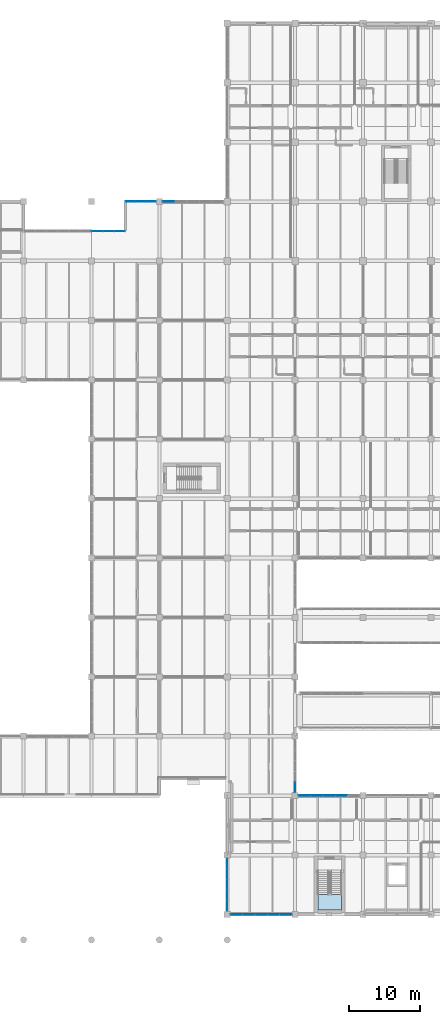
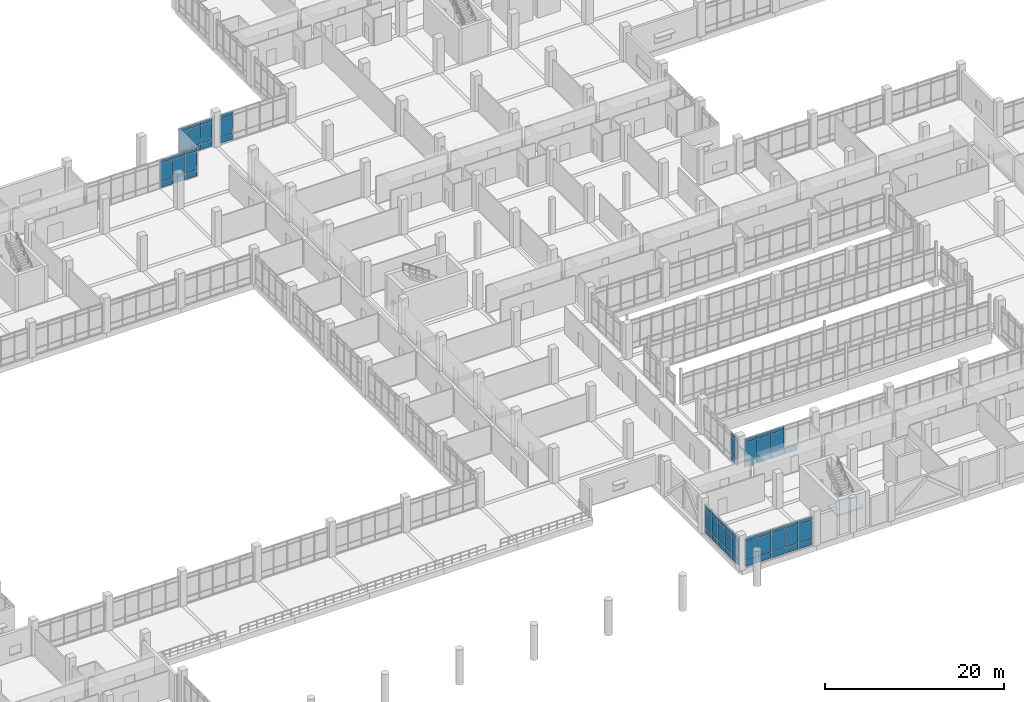
# One storey, part 95 of 152: 64 plates, 1 slab, 8 elements without a shape of their own.
"""IFC4 building model written with IfcOpenShell, lengths in metres."""

from ifc_helpers import new_model, si_unit, direction, frame, origin, origin_2d, place, context, subcontext, project, spatial, polyline, rectangle, outline, extrude, material, layer, layer_set, type_object, element, aggregate, save


model = new_model("IFC4")

# Units and contexts
model_context = context("Model", 3, precision=1e-05, world=origin(), true_north=direction((0.0, 1.0)))
body_context = subcontext(model_context, "Body", "Model", "MODEL_VIEW")
ifc_project = project(units=[si_unit("LENGTHUNIT", "METRE"), si_unit("AREAUNIT", "SQUARE_METRE"), si_unit("VOLUMEUNIT", "CUBIC_METRE"), si_unit("PLANEANGLEUNIT", "RADIAN"), si_unit("MASSUNIT", "GRAM", prefix="KILO")], contexts=[model_context])

# Site, building, storey
site_placement = place(None, origin())
site = spatial("IfcSite", under=ifc_project, at=site_placement, CompositionType="ELEMENT")
building_placement = place(site_placement, origin())
building = spatial("IfcBuilding", under=site, at=building_placement, Name="Oolite Switchyard Hospital", CompositionType="ELEMENT")
storey_placement = place(building_placement, frame((0.0, 0.0, 5.10009765625)))
storey = spatial("IfcBuildingStorey", under=building, at=storey_placement, Name="L01", CompositionType="ELEMENT", Elevation=5.10009765625)

# Curtain wall, plates
ifc_material_1 = material(Name="Thermally broken aluminum frame with laminated impact glazing", Category="aluminium")
curtain_wall_type_1 = type_object("IfcCurtainWallType", Name="CW-UNIT-84X48", PredefinedType="USERDEFINED", material=ifc_material_1)
curtain_wall_1_placement = place(storey_placement, origin())
curtain_wall_1 = element("IfcCurtainWall", 1, at=curtain_wall_1_placement, inside=storey, type_object=curtain_wall_type_1, Name="L01 Unitised Curtain Wall 187", ObjectType="UNITISED", PredefinedType="USERDEFINED")
ifc_material_2 = material(Name="Insulated fluoropolymer-coated aluminum spandrel panel", Category="aluminium")
ifc_layer_1 = layer(ifc_material_2, 0.054931640625)
ifc_layer_set_1 = layer_set([ifc_layer_1], Name="CW-PNL-SPN55")
plate_type_1 = type_object("IfcPlateType", Name="CW-PNL-SPN55", PredefinedType="CURTAIN_PANEL", material=ifc_layer_set_1)
plate_1_placement = place(storey_placement, frame((134.39990234375, 9.61083984375, 0.07470703125), z_axis=(0.0, 0.0, 1.0), x_axis=(0.0, 1.0, 0.0)))
plate_1 = element("IfcPlate", 2, at=plate_1_placement, type_object=plate_type_1, Name="CW-07 panel 1.1", PredefinedType="CURTAIN_PANEL", context=body_context, shape_type="SweptSolid", body=[
    extrude(rectangle(XDim=1.3916015625, YDim=0.054931640625, at=origin_2d()), origin(), (0.0, 0.0, 1.0), 0.737548828125),
])
plate_2_placement = place(storey_placement, frame((134.39990234375, 9.61083984375, 0.88720703125), z_axis=(0.0, 0.0, 1.0), x_axis=(0.0, 1.0, 0.0)))
plate_2 = element("IfcPlate", 3, at=plate_2_placement, type_object=plate_type_1, Name="CW-07 panel 1.2", PredefinedType="CURTAIN_PANEL", context=body_context, shape_type="SweptSolid", body=[
    extrude(rectangle(XDim=1.3916015625, YDim=0.054931640625, at=origin_2d()), origin(), (0.0, 0.0, 1.0), 2.465087890625),
])
plate_3_placement = place(storey_placement, frame((134.39990234375, 9.61083984375, 3.427490234375), z_axis=(0.0, 0.0, 1.0), x_axis=(0.0, 1.0, 0.0)))
plate_3 = element("IfcPlate", 4, at=plate_3_placement, type_object=plate_type_1, Name="CW-07 panel 1.3", PredefinedType="CURTAIN_PANEL", context=body_context, shape_type="SweptSolid", body=[
    extrude(rectangle(XDim=1.3916015625, YDim=0.054931640625, at=origin_2d()), origin(), (0.0, 0.0, 1.0), 0.4375),
])
plate_4_placement = place(storey_placement, frame((134.39990234375, 11.095947265625, 0.07470703125), z_axis=(0.0, 0.0, 1.0), x_axis=(0.0, 1.0, 0.0)))
plate_4 = element("IfcPlate", 5, at=plate_4_placement, type_object=plate_type_1, Name="CW-07 panel 2.1", PredefinedType="CURTAIN_PANEL", context=body_context, shape_type="SweptSolid", body=[
    extrude(rectangle(XDim=1.428955078125, YDim=0.054931640625, at=origin_2d()), origin(), (0.0, 0.0, 1.0), 0.737548828125),
])
plate_5_placement = place(storey_placement, frame((134.39990234375, 11.095947265625, 0.88720703125), z_axis=(0.0, 0.0, 1.0), x_axis=(0.0, 1.0, 0.0)))
plate_5 = element("IfcPlate", 6, at=plate_5_placement, type_object=plate_type_1, Name="CW-07 panel 2.2", PredefinedType="CURTAIN_PANEL", context=body_context, shape_type="SweptSolid", body=[
    extrude(rectangle(XDim=1.428955078125, YDim=0.054931640625, at=origin_2d()), origin(), (0.0, 0.0, 1.0), 2.465087890625),
])
plate_6_placement = place(storey_placement, frame((134.39990234375, 11.095947265625, 3.427490234375), z_axis=(0.0, 0.0, 1.0), x_axis=(0.0, 1.0, 0.0)))
plate_6 = element("IfcPlate", 7, at=plate_6_placement, type_object=plate_type_1, Name="CW-07 panel 2.3", PredefinedType="CURTAIN_PANEL", context=body_context, shape_type="SweptSolid", body=[
    extrude(rectangle(XDim=1.428955078125, YDim=0.054931640625, at=origin_2d()), origin(), (0.0, 0.0, 1.0), 0.4375),
])
plate_7_placement = place(storey_placement, frame((134.39990234375, 12.60009765625, 0.07470703125), z_axis=(0.0, 0.0, 1.0), x_axis=(0.0, 1.0, 0.0)))
plate_7 = element("IfcPlate", 8, at=plate_7_placement, type_object=plate_type_1, Name="CW-07 panel 3.1", PredefinedType="CURTAIN_PANEL", context=body_context, shape_type="SweptSolid", body=[
    extrude(rectangle(XDim=1.428955078125, YDim=0.054931640625, at=origin_2d()), origin(), (0.0, 0.0, 1.0), 0.737548828125),
])
plate_8_placement = place(storey_placement, frame((134.39990234375, 12.60009765625, 0.88720703125), z_axis=(0.0, 0.0, 1.0), x_axis=(0.0, 1.0, 0.0)))
plate_8 = element("IfcPlate", 9, at=plate_8_placement, type_object=plate_type_1, Name="CW-07 panel 3.2", PredefinedType="CURTAIN_PANEL", context=body_context, shape_type="SweptSolid", body=[
    extrude(rectangle(XDim=1.428955078125, YDim=0.054931640625, at=origin_2d()), origin(), (0.0, 0.0, 1.0), 2.465087890625),
])
plate_9_placement = place(storey_placement, frame((134.39990234375, 12.60009765625, 3.427490234375), z_axis=(0.0, 0.0, 1.0), x_axis=(0.0, 1.0, 0.0)))
plate_9 = element("IfcPlate", 10, at=plate_9_placement, type_object=plate_type_1, Name="CW-07 panel 3.3", PredefinedType="CURTAIN_PANEL", context=body_context, shape_type="SweptSolid", body=[
    extrude(rectangle(XDim=1.428955078125, YDim=0.054931640625, at=origin_2d()), origin(), (0.0, 0.0, 1.0), 0.4375),
])
plate_10_placement = place(storey_placement, frame((134.39990234375, 14.10400390625, 0.07470703125), z_axis=(0.0, 0.0, 1.0), x_axis=(0.0, 1.0, 0.0)))
plate_10 = element("IfcPlate", 11, at=plate_10_placement, type_object=plate_type_1, Name="CW-07 panel 4.1", PredefinedType="CURTAIN_PANEL", context=body_context, shape_type="SweptSolid", body=[
    extrude(rectangle(XDim=1.428955078125, YDim=0.054931640625, at=origin_2d()), origin(), (0.0, 0.0, 1.0), 0.737548828125),
])
plate_11_placement = place(storey_placement, frame((134.39990234375, 14.10400390625, 0.88720703125), z_axis=(0.0, 0.0, 1.0), x_axis=(0.0, 1.0, 0.0)))
plate_11 = element("IfcPlate", 12, at=plate_11_placement, type_object=plate_type_1, Name="CW-07 panel 4.2", PredefinedType="CURTAIN_PANEL", context=body_context, shape_type="SweptSolid", body=[
    extrude(rectangle(XDim=1.428955078125, YDim=0.054931640625, at=origin_2d()), origin(), (0.0, 0.0, 1.0), 2.465087890625),
])
plate_12_placement = place(storey_placement, frame((134.39990234375, 14.10400390625, 3.427490234375), z_axis=(0.0, 0.0, 1.0), x_axis=(0.0, 1.0, 0.0)))
plate_12 = element("IfcPlate", 13, at=plate_12_placement, type_object=plate_type_1, Name="CW-07 panel 4.3", PredefinedType="CURTAIN_PANEL", context=body_context, shape_type="SweptSolid", body=[
    extrude(rectangle(XDim=1.428955078125, YDim=0.054931640625, at=origin_2d()), origin(), (0.0, 0.0, 1.0), 0.4375),
])
plate_13_placement = place(storey_placement, frame((134.39990234375, 15.58935546875, 0.07470703125), z_axis=(0.0, 0.0, 1.0), x_axis=(0.0, 1.0, 0.0)))
plate_13 = element("IfcPlate", 14, at=plate_13_placement, type_object=plate_type_1, Name="CW-07 panel 5.1", PredefinedType="CURTAIN_PANEL", context=body_context, shape_type="SweptSolid", body=[
    extrude(rectangle(XDim=1.3916015625, YDim=0.054931640625, at=origin_2d()), origin(), (0.0, 0.0, 1.0), 0.737548828125),
])
plate_14_placement = place(storey_placement, frame((134.39990234375, 15.58935546875, 0.88720703125), z_axis=(0.0, 0.0, 1.0), x_axis=(0.0, 1.0, 0.0)))
plate_14 = element("IfcPlate", 15, at=plate_14_placement, type_object=plate_type_1, Name="CW-07 panel 5.2", PredefinedType="CURTAIN_PANEL", context=body_context, shape_type="SweptSolid", body=[
    extrude(rectangle(XDim=1.3916015625, YDim=0.054931640625, at=origin_2d()), origin(), (0.0, 0.0, 1.0), 2.465087890625),
])
plate_15_placement = place(storey_placement, frame((134.39990234375, 15.58935546875, 3.427490234375), z_axis=(0.0, 0.0, 1.0), x_axis=(0.0, 1.0, 0.0)))
plate_15 = element("IfcPlate", 16, at=plate_15_placement, type_object=plate_type_1, Name="CW-07 panel 5.3", PredefinedType="CURTAIN_PANEL", context=body_context, shape_type="SweptSolid", body=[
    extrude(rectangle(XDim=1.3916015625, YDim=0.054931640625, at=origin_2d()), origin(), (0.0, 0.0, 1.0), 0.4375),
])
aggregate(curtain_wall_1, [plate_1, plate_2, plate_3, plate_4, plate_5, plate_6, plate_7, plate_8, plate_9, plate_10, plate_11, plate_12, plate_13, plate_14, plate_15])

curtain_wall_2_placement = place(storey_placement, origin())
curtain_wall_2 = element("IfcCurtainWall", 17, at=curtain_wall_2_placement, inside=storey, type_object=curtain_wall_type_1, Name="L01 Unitised Curtain Wall 191", ObjectType="UNITISED", PredefinedType="USERDEFINED")
ifc_layer_2 = layer(ifc_material_2, 0.070068359375)
ifc_layer_set_2 = layer_set([ifc_layer_2], Name="CW-PNL-SPN70")
plate_type_2 = type_object("IfcPlateType", Name="CW-PNL-SPN70", PredefinedType="CURTAIN_PANEL", material=ifc_layer_set_2)
plate_16_placement = place(storey_placement, frame((144.0, 26.406982421875, 0.07470703125), z_axis=(0.0, 0.0, 1.0), x_axis=(0.0, -1.0, 0.0)))
plate_16 = element("IfcPlate", 18, at=plate_16_placement, type_object=plate_type_2, Name="CW-07 panel 5.1", PredefinedType="CURTAIN_PANEL", context=body_context, shape_type="SweptSolid", body=[
    extrude(rectangle(XDim=1.4140625, YDim=0.070068359375, at=origin_2d()), origin(), (0.0, 0.0, 1.0), 0.737548828125),
])
plate_17_placement = place(storey_placement, frame((144.0, 26.406982421875, 0.88720703125), z_axis=(0.0, 0.0, 1.0), x_axis=(0.0, -1.0, 0.0)))
plate_17 = element("IfcPlate", 19, at=plate_17_placement, type_object=plate_type_2, Name="CW-07 panel 5.2", PredefinedType="CURTAIN_PANEL", context=body_context, shape_type="SweptSolid", body=[
    extrude(rectangle(XDim=1.4140625, YDim=0.070068359375, at=origin_2d()), origin(), (0.0, 0.0, 1.0), 2.465087890625),
])
plate_18_placement = place(storey_placement, frame((144.0, 26.406982421875, 3.427490234375), z_axis=(0.0, 0.0, 1.0), x_axis=(0.0, -1.0, 0.0)))
plate_18 = element("IfcPlate", 20, at=plate_18_placement, type_object=plate_type_2, Name="CW-07 panel 5.3", PredefinedType="CURTAIN_PANEL", context=body_context, shape_type="SweptSolid", body=[
    extrude(rectangle(XDim=1.4140625, YDim=0.070068359375, at=origin_2d()), origin(), (0.0, 0.0, 1.0), 0.4375),
])
aggregate(curtain_wall_2, [plate_16, plate_17, plate_18])

curtain_wall_3_placement = place(storey_placement, origin())
curtain_wall_3 = element("IfcCurtainWall", 21, at=curtain_wall_3_placement, inside=storey, type_object=curtain_wall_type_1, Name="L01 Unitised Curtain Wall 147", ObjectType="UNITISED", PredefinedType="USERDEFINED")
ifc_material_3 = material(Name="Laminated hurricane-impact insulated glazing unit", Category="glass")
ifc_layer_3 = layer(ifc_material_3, 0.028076171875)
ifc_layer_set_3 = layer_set([ifc_layer_3], Name="CW-PNL-VIS28")
plate_type_3 = type_object("IfcPlateType", Name="CW-PNL-VIS28", PredefinedType="CURTAIN_PANEL", material=ifc_layer_set_3)
plate_19_placement = place(storey_placement, frame((116.017578125, 105.0, 0.07470703125), z_axis=(0.0, 0.0, 1.0), x_axis=(1.0, 0.0, 0.0)))
plate_19 = element("IfcPlate", 22, at=plate_19_placement, type_object=plate_type_3, Name="CW-07 panel 1.1", PredefinedType="CURTAIN_PANEL", context=body_context, shape_type="SweptSolid", body=[
    extrude(rectangle(XDim=1.4951171875, YDim=0.028076171875, at=origin_2d()), origin(), (0.0, 0.0, 1.0), 0.737548828125),
])
plate_20_placement = place(storey_placement, frame((116.017578125, 105.0, 0.88720703125), z_axis=(0.0, 0.0, 1.0), x_axis=(1.0, 0.0, 0.0)))
plate_20 = element("IfcPlate", 23, at=plate_20_placement, type_object=plate_type_3, Name="CW-07 panel 1.2", PredefinedType="CURTAIN_PANEL", context=body_context, shape_type="SweptSolid", body=[
    extrude(rectangle(XDim=1.4951171875, YDim=0.028076171875, at=origin_2d()), origin(), (0.0, 0.0, 1.0), 2.465087890625),
])
plate_21_placement = place(storey_placement, frame((116.017578125, 105.0, 3.427490234375), z_axis=(0.0, 0.0, 1.0), x_axis=(1.0, 0.0, 0.0)))
plate_21 = element("IfcPlate", 24, at=plate_21_placement, type_object=plate_type_3, Name="CW-07 panel 1.3", PredefinedType="CURTAIN_PANEL", context=body_context, shape_type="SweptSolid", body=[
    extrude(rectangle(XDim=1.4951171875, YDim=0.028076171875, at=origin_2d()), origin(), (0.0, 0.0, 1.0), 0.4375),
])
plate_22_placement = place(storey_placement, frame((117.60009765625, 105.0, 0.07470703125), z_axis=(0.0, 0.0, 1.0), x_axis=(1.0, 0.0, 0.0)))
plate_22 = element("IfcPlate", 25, at=plate_22_placement, type_object=plate_type_3, Name="CW-07 panel 2.1", PredefinedType="CURTAIN_PANEL", context=body_context, shape_type="SweptSolid", body=[
    extrude(rectangle(XDim=1.530029296875, YDim=0.028076171875, at=origin_2d()), origin(), (0.0, 0.0, 1.0), 0.737548828125),
])
plate_23_placement = place(storey_placement, frame((117.60009765625, 105.0, 0.88720703125), z_axis=(0.0, 0.0, 1.0), x_axis=(1.0, 0.0, 0.0)))
plate_23 = element("IfcPlate", 26, at=plate_23_placement, type_object=plate_type_3, Name="CW-07 panel 2.2", PredefinedType="CURTAIN_PANEL", context=body_context, shape_type="SweptSolid", body=[
    extrude(rectangle(XDim=1.530029296875, YDim=0.028076171875, at=origin_2d()), origin(), (0.0, 0.0, 1.0), 2.465087890625),
])
plate_24_placement = place(storey_placement, frame((117.60009765625, 105.0, 3.427490234375), z_axis=(0.0, 0.0, 1.0), x_axis=(1.0, 0.0, 0.0)))
plate_24 = element("IfcPlate", 27, at=plate_24_placement, type_object=plate_type_3, Name="CW-07 panel 2.3", PredefinedType="CURTAIN_PANEL", context=body_context, shape_type="SweptSolid", body=[
    extrude(rectangle(XDim=1.530029296875, YDim=0.028076171875, at=origin_2d()), origin(), (0.0, 0.0, 1.0), 0.4375),
])
plate_25_placement = place(storey_placement, frame((119.1826171875, 105.0, 0.07470703125), z_axis=(0.0, 0.0, 1.0), x_axis=(1.0, 0.0, 0.0)))
plate_25 = element("IfcPlate", 28, at=plate_25_placement, type_object=plate_type_3, Name="CW-07 panel 3.1", PredefinedType="CURTAIN_PANEL", context=body_context, shape_type="SweptSolid", body=[
    extrude(rectangle(XDim=1.4951171875, YDim=0.028076171875, at=origin_2d()), origin(), (0.0, 0.0, 1.0), 0.737548828125),
])
plate_26_placement = place(storey_placement, frame((119.1826171875, 105.0, 0.88720703125), z_axis=(0.0, 0.0, 1.0), x_axis=(1.0, 0.0, 0.0)))
plate_26 = element("IfcPlate", 29, at=plate_26_placement, type_object=plate_type_3, Name="CW-07 panel 3.2", PredefinedType="CURTAIN_PANEL", context=body_context, shape_type="SweptSolid", body=[
    extrude(rectangle(XDim=1.4951171875, YDim=0.028076171875, at=origin_2d()), origin(), (0.0, 0.0, 1.0), 2.465087890625),
])
plate_27_placement = place(storey_placement, frame((119.1826171875, 105.0, 3.427490234375), z_axis=(0.0, 0.0, 1.0), x_axis=(1.0, 0.0, 0.0)))
plate_27 = element("IfcPlate", 30, at=plate_27_placement, type_object=plate_type_3, Name="CW-07 panel 3.3", PredefinedType="CURTAIN_PANEL", context=body_context, shape_type="SweptSolid", body=[
    extrude(rectangle(XDim=1.4951171875, YDim=0.028076171875, at=origin_2d()), origin(), (0.0, 0.0, 1.0), 0.4375),
])
aggregate(curtain_wall_3, [plate_19, plate_20, plate_21, plate_22, plate_23, plate_24, plate_25, plate_26, plate_27])

curtain_wall_4_placement = place(storey_placement, origin())
curtain_wall_4 = element("IfcCurtainWall", 31, at=curtain_wall_4_placement, inside=storey, type_object=curtain_wall_type_1, Name="L01 Unitised Curtain Wall 149", ObjectType="UNITISED", PredefinedType="USERDEFINED")
plate_28_placement = place(storey_placement, frame((120.74169921875, 109.199951171875, 0.07470703125), z_axis=(0.0, 0.0, 1.0), x_axis=(1.0, 0.0, 0.0)))
plate_28 = element("IfcPlate", 32, at=plate_28_placement, type_object=plate_type_3, Name="CW-07 panel 1.1", PredefinedType="CURTAIN_PANEL", context=body_context, shape_type="SweptSolid", body=[
    extrude(rectangle(XDim=1.36328125, YDim=0.028076171875, at=origin_2d()), origin(), (0.0, 0.0, 1.0), 0.737548828125),
])
plate_29_placement = place(storey_placement, frame((120.74169921875, 109.199951171875, 0.88720703125), z_axis=(0.0, 0.0, 1.0), x_axis=(1.0, 0.0, 0.0)))
plate_29 = element("IfcPlate", 33, at=plate_29_placement, type_object=plate_type_3, Name="CW-07 panel 1.2", PredefinedType="CURTAIN_PANEL", context=body_context, shape_type="SweptSolid", body=[
    extrude(rectangle(XDim=1.36328125, YDim=0.028076171875, at=origin_2d()), origin(), (0.0, 0.0, 1.0), 2.465087890625),
])
plate_30_placement = place(storey_placement, frame((120.74169921875, 109.199951171875, 3.427490234375), z_axis=(0.0, 0.0, 1.0), x_axis=(1.0, 0.0, 0.0)))
plate_30 = element("IfcPlate", 34, at=plate_30_placement, type_object=plate_type_3, Name="CW-07 panel 1.3", PredefinedType="CURTAIN_PANEL", context=body_context, shape_type="SweptSolid", body=[
    extrude(rectangle(XDim=1.36328125, YDim=0.028076171875, at=origin_2d()), origin(), (0.0, 0.0, 1.0), 0.4375),
])
plate_31_placement = place(storey_placement, frame((122.179931640625, 109.199951171875, 0.07470703125), z_axis=(0.0, 0.0, 1.0), x_axis=(1.0, 0.0, 0.0)))
plate_31 = element("IfcPlate", 35, at=plate_31_placement, type_object=plate_type_3, Name="CW-07 panel 2.1", PredefinedType="CURTAIN_PANEL", context=body_context, shape_type="SweptSolid", body=[
    extrude(rectangle(XDim=1.393310546875, YDim=0.028076171875, at=origin_2d()), origin(), (0.0, 0.0, 1.0), 0.737548828125),
])
plate_32_placement = place(storey_placement, frame((122.179931640625, 109.199951171875, 0.88720703125), z_axis=(0.0, 0.0, 1.0), x_axis=(1.0, 0.0, 0.0)))
plate_32 = element("IfcPlate", 36, at=plate_32_placement, type_object=plate_type_3, Name="CW-07 panel 2.2", PredefinedType="CURTAIN_PANEL", context=body_context, shape_type="SweptSolid", body=[
    extrude(rectangle(XDim=1.393310546875, YDim=0.028076171875, at=origin_2d()), origin(), (0.0, 0.0, 1.0), 2.465087890625),
])
plate_33_placement = place(storey_placement, frame((122.179931640625, 109.199951171875, 3.427490234375), z_axis=(0.0, 0.0, 1.0), x_axis=(1.0, 0.0, 0.0)))
plate_33 = element("IfcPlate", 37, at=plate_33_placement, type_object=plate_type_3, Name="CW-07 panel 2.3", PredefinedType="CURTAIN_PANEL", context=body_context, shape_type="SweptSolid", body=[
    extrude(rectangle(XDim=1.393310546875, YDim=0.028076171875, at=origin_2d()), origin(), (0.0, 0.0, 1.0), 0.4375),
])
plate_34_placement = place(storey_placement, frame((123.618408203125, 109.199951171875, 0.07470703125), z_axis=(0.0, 0.0, 1.0), x_axis=(1.0, 0.0, 0.0)))
plate_34 = element("IfcPlate", 38, at=plate_34_placement, type_object=plate_type_3, Name="CW-07 panel 3.1", PredefinedType="CURTAIN_PANEL", context=body_context, shape_type="SweptSolid", body=[
    extrude(rectangle(XDim=1.36328125, YDim=0.028076171875, at=origin_2d()), origin(), (0.0, 0.0, 1.0), 0.737548828125),
])
plate_35_placement = place(storey_placement, frame((123.618408203125, 109.199951171875, 0.88720703125), z_axis=(0.0, 0.0, 1.0), x_axis=(1.0, 0.0, 0.0)))
plate_35 = element("IfcPlate", 39, at=plate_35_placement, type_object=plate_type_3, Name="CW-07 panel 3.2", PredefinedType="CURTAIN_PANEL", context=body_context, shape_type="SweptSolid", body=[
    extrude(rectangle(XDim=1.36328125, YDim=0.028076171875, at=origin_2d()), origin(), (0.0, 0.0, 1.0), 2.465087890625),
])
plate_36_placement = place(storey_placement, frame((123.618408203125, 109.199951171875, 3.427490234375), z_axis=(0.0, 0.0, 1.0), x_axis=(1.0, 0.0, 0.0)))
plate_36 = element("IfcPlate", 40, at=plate_36_placement, type_object=plate_type_3, Name="CW-07 panel 3.3", PredefinedType="CURTAIN_PANEL", context=body_context, shape_type="SweptSolid", body=[
    extrude(rectangle(XDim=1.36328125, YDim=0.028076171875, at=origin_2d()), origin(), (0.0, 0.0, 1.0), 0.4375),
])
aggregate(curtain_wall_4, [plate_28, plate_29, plate_30, plate_31, plate_32, plate_33, plate_34, plate_35, plate_36])

curtain_wall_type_2 = type_object("IfcCurtainWallType", Name="CW-UNIT-96X48", PredefinedType="USERDEFINED", material=ifc_material_1)
curtain_wall_5_placement = place(storey_placement, origin())
curtain_wall_5 = element("IfcCurtainWall", 41, at=curtain_wall_5_placement, inside=storey, type_object=curtain_wall_type_2, Name="L01 Unitised Curtain Wall 98", ObjectType="UNITISED", PredefinedType="USERDEFINED")
ifc_layer_4 = layer(ifc_material_3, 0.031982421875)
ifc_layer_set_4 = layer_set([ifc_layer_4], Name="CW-PNL-VIS32")
plate_type_4 = type_object("IfcPlateType", Name="CW-PNL-VIS32", PredefinedType="CURTAIN_PANEL", material=ifc_layer_set_4)
plate_37_placement = place(storey_placement, frame((142.673095703125, 8.39990234375, 0.06005859375), z_axis=(0.0, 0.0, 1.0), x_axis=(-1.0, 0.0, 0.0)))
plate_37 = element("IfcPlate", 42, at=plate_37_placement, type_object=plate_type_4, Name="CW-02 panel 1.1", PredefinedType="CURTAIN_PANEL", context=body_context, shape_type="SweptSolid", body=[
    extrude(rectangle(XDim=1.654052734375, YDim=0.031982421875, at=origin_2d()), origin(), (0.0, 0.0, 1.0), 0.760009765625),
])
plate_38_placement = place(storey_placement, frame((142.673095703125, 8.39990234375, 0.8798828125), z_axis=(0.0, 0.0, 1.0), x_axis=(-1.0, 0.0, 0.0)))
plate_38 = element("IfcPlate", 43, at=plate_38_placement, type_object=plate_type_4, Name="CW-02 panel 1.2", PredefinedType="CURTAIN_PANEL", context=body_context, shape_type="SweptSolid", body=[
    extrude(rectangle(XDim=1.654052734375, YDim=0.031982421875, at=origin_2d()), origin(), (0.0, 0.0, 1.0), 2.47998046875),
])
plate_39_placement = place(storey_placement, frame((142.673095703125, 8.39990234375, 3.419921875), z_axis=(0.0, 0.0, 1.0), x_axis=(-1.0, 0.0, 0.0)))
plate_39 = element("IfcPlate", 44, at=plate_39_placement, type_object=plate_type_4, Name="CW-02 panel 1.3", PredefinedType="CURTAIN_PANEL", context=body_context, shape_type="SweptSolid", body=[
    extrude(rectangle(XDim=1.654052734375, YDim=0.031982421875, at=origin_2d()), origin(), (0.0, 0.0, 1.0), 0.4599609375),
])
plate_40_placement = place(storey_placement, frame((140.944091796875, 8.39990234375, 0.06005859375), z_axis=(0.0, 0.0, 1.0), x_axis=(-1.0, 0.0, 0.0)))
plate_40 = element("IfcPlate", 45, at=plate_40_placement, type_object=plate_type_4, Name="CW-02 panel 2.1", PredefinedType="CURTAIN_PANEL", context=body_context, shape_type="SweptSolid", body=[
    extrude(rectangle(XDim=1.68408203125, YDim=0.031982421875, at=origin_2d()), origin(), (0.0, 0.0, 1.0), 0.760009765625),
])
plate_41_placement = place(storey_placement, frame((140.944091796875, 8.39990234375, 0.8798828125), z_axis=(0.0, 0.0, 1.0), x_axis=(-1.0, 0.0, 0.0)))
plate_41 = element("IfcPlate", 46, at=plate_41_placement, type_object=plate_type_4, Name="CW-02 panel 2.2", PredefinedType="CURTAIN_PANEL", context=body_context, shape_type="SweptSolid", body=[
    extrude(rectangle(XDim=1.68408203125, YDim=0.031982421875, at=origin_2d()), origin(), (0.0, 0.0, 1.0), 2.47998046875),
])
plate_42_placement = place(storey_placement, frame((140.944091796875, 8.39990234375, 3.419921875), z_axis=(0.0, 0.0, 1.0), x_axis=(-1.0, 0.0, 0.0)))
plate_42 = element("IfcPlate", 47, at=plate_42_placement, type_object=plate_type_4, Name="CW-02 panel 2.3", PredefinedType="CURTAIN_PANEL", context=body_context, shape_type="SweptSolid", body=[
    extrude(rectangle(XDim=1.68408203125, YDim=0.031982421875, at=origin_2d()), origin(), (0.0, 0.0, 1.0), 0.4599609375),
])
plate_43_placement = place(storey_placement, frame((139.199951171875, 8.39990234375, 0.06005859375), z_axis=(0.0, 0.0, 1.0), x_axis=(-1.0, 0.0, 0.0)))
plate_43 = element("IfcPlate", 48, at=plate_43_placement, type_object=plate_type_4, Name="CW-02 panel 3.1", PredefinedType="CURTAIN_PANEL", context=body_context, shape_type="SweptSolid", body=[
    extrude(rectangle(XDim=1.68408203125, YDim=0.031982421875, at=origin_2d()), origin(), (0.0, 0.0, 1.0), 0.760009765625),
])
plate_44_placement = place(storey_placement, frame((139.199951171875, 8.39990234375, 0.8798828125), z_axis=(0.0, 0.0, 1.0), x_axis=(-1.0, 0.0, 0.0)))
plate_44 = element("IfcPlate", 49, at=plate_44_placement, type_object=plate_type_4, Name="CW-02 panel 3.2", PredefinedType="CURTAIN_PANEL", context=body_context, shape_type="SweptSolid", body=[
    extrude(rectangle(XDim=1.68408203125, YDim=0.031982421875, at=origin_2d()), origin(), (0.0, 0.0, 1.0), 2.47998046875),
])
plate_45_placement = place(storey_placement, frame((139.199951171875, 8.39990234375, 3.419921875), z_axis=(0.0, 0.0, 1.0), x_axis=(-1.0, 0.0, 0.0)))
plate_45 = element("IfcPlate", 50, at=plate_45_placement, type_object=plate_type_4, Name="CW-02 panel 3.3", PredefinedType="CURTAIN_PANEL", context=body_context, shape_type="SweptSolid", body=[
    extrude(rectangle(XDim=1.68408203125, YDim=0.031982421875, at=origin_2d()), origin(), (0.0, 0.0, 1.0), 0.4599609375),
])
plate_46_placement = place(storey_placement, frame((137.4560546875, 8.39990234375, 0.06005859375), z_axis=(0.0, 0.0, 1.0), x_axis=(-1.0, 0.0, 0.0)))
plate_46 = element("IfcPlate", 51, at=plate_46_placement, type_object=plate_type_4, Name="CW-02 panel 4.1", PredefinedType="CURTAIN_PANEL", context=body_context, shape_type="SweptSolid", body=[
    extrude(rectangle(XDim=1.68408203125, YDim=0.031982421875, at=origin_2d()), origin(), (0.0, 0.0, 1.0), 0.760009765625),
])
plate_47_placement = place(storey_placement, frame((137.4560546875, 8.39990234375, 0.8798828125), z_axis=(0.0, 0.0, 1.0), x_axis=(-1.0, 0.0, 0.0)))
plate_47 = element("IfcPlate", 52, at=plate_47_placement, type_object=plate_type_4, Name="CW-02 panel 4.2", PredefinedType="CURTAIN_PANEL", context=body_context, shape_type="SweptSolid", body=[
    extrude(rectangle(XDim=1.68408203125, YDim=0.031982421875, at=origin_2d()), origin(), (0.0, 0.0, 1.0), 2.47998046875),
])
plate_48_placement = place(storey_placement, frame((137.4560546875, 8.39990234375, 3.419921875), z_axis=(0.0, 0.0, 1.0), x_axis=(-1.0, 0.0, 0.0)))
plate_48 = element("IfcPlate", 53, at=plate_48_placement, type_object=plate_type_4, Name="CW-02 panel 4.3", PredefinedType="CURTAIN_PANEL", context=body_context, shape_type="SweptSolid", body=[
    extrude(rectangle(XDim=1.68408203125, YDim=0.031982421875, at=origin_2d()), origin(), (0.0, 0.0, 1.0), 0.4599609375),
])
plate_49_placement = place(storey_placement, frame((135.72705078125, 8.39990234375, 0.06005859375), z_axis=(0.0, 0.0, 1.0), x_axis=(-1.0, 0.0, 0.0)))
plate_49 = element("IfcPlate", 54, at=plate_49_placement, type_object=plate_type_4, Name="CW-02 panel 5.1", PredefinedType="CURTAIN_PANEL", context=body_context, shape_type="SweptSolid", body=[
    extrude(rectangle(XDim=1.654052734375, YDim=0.031982421875, at=origin_2d()), origin(), (0.0, 0.0, 1.0), 0.760009765625),
])
plate_50_placement = place(storey_placement, frame((135.72705078125, 8.39990234375, 0.8798828125), z_axis=(0.0, 0.0, 1.0), x_axis=(-1.0, 0.0, 0.0)))
plate_50 = element("IfcPlate", 55, at=plate_50_placement, type_object=plate_type_4, Name="CW-02 panel 5.2", PredefinedType="CURTAIN_PANEL", context=body_context, shape_type="SweptSolid", body=[
    extrude(rectangle(XDim=1.654052734375, YDim=0.031982421875, at=origin_2d()), origin(), (0.0, 0.0, 1.0), 2.47998046875),
])
plate_51_placement = place(storey_placement, frame((135.72705078125, 8.39990234375, 3.419921875), z_axis=(0.0, 0.0, 1.0), x_axis=(-1.0, 0.0, 0.0)))
plate_51 = element("IfcPlate", 56, at=plate_51_placement, type_object=plate_type_4, Name="CW-02 panel 5.3", PredefinedType="CURTAIN_PANEL", context=body_context, shape_type="SweptSolid", body=[
    extrude(rectangle(XDim=1.654052734375, YDim=0.031982421875, at=origin_2d()), origin(), (0.0, 0.0, 1.0), 0.4599609375),
])
aggregate(curtain_wall_5, [plate_37, plate_38, plate_39, plate_40, plate_41, plate_42, plate_43, plate_44, plate_45, plate_46, plate_47, plate_48, plate_49, plate_50, plate_51])

curtain_wall_6_placement = place(storey_placement, origin())
curtain_wall_6 = element("IfcCurtainWall", 57, at=curtain_wall_6_placement, inside=storey, type_object=curtain_wall_type_2, Name="L01 Unitised Curtain Wall 150", ObjectType="UNITISED", PredefinedType="USERDEFINED")
ifc_layer_5 = layer(ifc_material_3, 0.035888671875)
ifc_layer_set_5 = layer_set([ifc_layer_5], Name="CW-PNL-VIS36")
plate_type_5 = type_object("IfcPlateType", Name="CW-PNL-VIS36", PredefinedType="CURTAIN_PANEL", material=ifc_layer_set_5)
plate_52_placement = place(storey_placement, frame((126.12451171875, 109.199951171875, 0.06005859375), z_axis=(0.0, 0.0, 1.0), x_axis=(1.0, 0.0, 0.0)))
plate_52 = element("IfcPlate", 58, at=plate_52_placement, type_object=plate_type_5, Name="CW-02 panel 1.1", PredefinedType="CURTAIN_PANEL", context=body_context, shape_type="SweptSolid", body=[
    extrude(rectangle(XDim=1.62890625, YDim=0.035888671875, at=origin_2d()), origin(), (0.0, 0.0, 1.0), 0.760009765625),
])
plate_53_placement = place(storey_placement, frame((126.12451171875, 109.199951171875, 0.8798828125), z_axis=(0.0, 0.0, 1.0), x_axis=(1.0, 0.0, 0.0)))
plate_53 = element("IfcPlate", 59, at=plate_53_placement, type_object=plate_type_5, Name="CW-02 panel 1.2", PredefinedType="CURTAIN_PANEL", context=body_context, shape_type="SweptSolid", body=[
    extrude(rectangle(XDim=1.62890625, YDim=0.035888671875, at=origin_2d()), origin(), (0.0, 0.0, 1.0), 2.47998046875),
])
plate_54_placement = place(storey_placement, frame((126.12451171875, 109.199951171875, 3.419921875), z_axis=(0.0, 0.0, 1.0), x_axis=(1.0, 0.0, 0.0)))
plate_54 = element("IfcPlate", 60, at=plate_54_placement, type_object=plate_type_5, Name="CW-02 panel 1.3", PredefinedType="CURTAIN_PANEL", context=body_context, shape_type="SweptSolid", body=[
    extrude(rectangle(XDim=1.62890625, YDim=0.035888671875, at=origin_2d()), origin(), (0.0, 0.0, 1.0), 0.4599609375),
])
aggregate(curtain_wall_6, [plate_52, plate_53, plate_54])

curtain_wall_7_placement = place(storey_placement, origin())
curtain_wall_7 = element("IfcCurtainWall", 61, at=curtain_wall_7_placement, inside=storey, type_object=curtain_wall_type_2, Name="L01 Unitised Curtain Wall 104", ObjectType="UNITISED", PredefinedType="USERDEFINED")
ifc_layer_6 = layer(ifc_material_3, 0.0419921875)
ifc_layer_set_6 = layer_set([ifc_layer_6], Name="CW-PNL-VIS42")
plate_type_6 = type_object("IfcPlateType", Name="CW-PNL-VIS42", PredefinedType="CURTAIN_PANEL", material=ifc_layer_set_6)
plate_55_placement = place(storey_placement, frame((145.326904296875, 25.199951171875, 0.06005859375), z_axis=(0.0, 0.0, 1.0), x_axis=(1.0, 0.0, 0.0)))
plate_55 = element("IfcPlate", 62, at=plate_55_placement, type_object=plate_type_6, Name="CW-02 panel 1.1", PredefinedType="CURTAIN_PANEL", context=body_context, shape_type="SweptSolid", body=[
    extrude(rectangle(XDim=1.654052734375, YDim=0.0419921875, at=origin_2d()), origin(), (0.0, 0.0, 1.0), 0.760009765625),
])
plate_56_placement = place(storey_placement, frame((145.326904296875, 25.199951171875, 0.8798828125), z_axis=(0.0, 0.0, 1.0), x_axis=(1.0, 0.0, 0.0)))
plate_56 = element("IfcPlate", 63, at=plate_56_placement, type_object=plate_type_6, Name="CW-02 panel 1.2", PredefinedType="CURTAIN_PANEL", context=body_context, shape_type="SweptSolid", body=[
    extrude(rectangle(XDim=1.654052734375, YDim=0.0419921875, at=origin_2d()), origin(), (0.0, 0.0, 1.0), 2.47998046875),
])
plate_57_placement = place(storey_placement, frame((145.326904296875, 25.199951171875, 3.419921875), z_axis=(0.0, 0.0, 1.0), x_axis=(1.0, 0.0, 0.0)))
plate_57 = element("IfcPlate", 64, at=plate_57_placement, type_object=plate_type_6, Name="CW-02 panel 1.3", PredefinedType="CURTAIN_PANEL", context=body_context, shape_type="SweptSolid", body=[
    extrude(rectangle(XDim=1.654052734375, YDim=0.0419921875, at=origin_2d()), origin(), (0.0, 0.0, 1.0), 0.4599609375),
])
plate_58_placement = place(storey_placement, frame((147.055908203125, 25.199951171875, 0.06005859375), z_axis=(0.0, 0.0, 1.0), x_axis=(1.0, 0.0, 0.0)))
plate_58 = element("IfcPlate", 65, at=plate_58_placement, type_object=plate_type_6, Name="CW-02 panel 2.1", PredefinedType="CURTAIN_PANEL", context=body_context, shape_type="SweptSolid", body=[
    extrude(rectangle(XDim=1.68408203125, YDim=0.0419921875, at=origin_2d()), origin(), (0.0, 0.0, 1.0), 0.760009765625),
])
plate_59_placement = place(storey_placement, frame((147.055908203125, 25.199951171875, 0.8798828125), z_axis=(0.0, 0.0, 1.0), x_axis=(1.0, 0.0, 0.0)))
plate_59 = element("IfcPlate", 66, at=plate_59_placement, type_object=plate_type_6, Name="CW-02 panel 2.2", PredefinedType="CURTAIN_PANEL", context=body_context, shape_type="SweptSolid", body=[
    extrude(rectangle(XDim=1.68408203125, YDim=0.0419921875, at=origin_2d()), origin(), (0.0, 0.0, 1.0), 2.47998046875),
])
plate_60_placement = place(storey_placement, frame((147.055908203125, 25.199951171875, 3.419921875), z_axis=(0.0, 0.0, 1.0), x_axis=(1.0, 0.0, 0.0)))
plate_60 = element("IfcPlate", 67, at=plate_60_placement, type_object=plate_type_6, Name="CW-02 panel 2.3", PredefinedType="CURTAIN_PANEL", context=body_context, shape_type="SweptSolid", body=[
    extrude(rectangle(XDim=1.68408203125, YDim=0.0419921875, at=origin_2d()), origin(), (0.0, 0.0, 1.0), 0.4599609375),
])
plate_61_placement = place(storey_placement, frame((148.800048828125, 25.199951171875, 0.06005859375), z_axis=(0.0, 0.0, 1.0), x_axis=(1.0, 0.0, 0.0)))
plate_61 = element("IfcPlate", 68, at=plate_61_placement, type_object=plate_type_6, Name="CW-02 panel 3.1", PredefinedType="CURTAIN_PANEL", context=body_context, shape_type="SweptSolid", body=[
    extrude(rectangle(XDim=1.68408203125, YDim=0.0419921875, at=origin_2d()), origin(), (0.0, 0.0, 1.0), 0.760009765625),
])
plate_62_placement = place(storey_placement, frame((148.800048828125, 25.199951171875, 0.8798828125), z_axis=(0.0, 0.0, 1.0), x_axis=(1.0, 0.0, 0.0)))
plate_62 = element("IfcPlate", 69, at=plate_62_placement, type_object=plate_type_6, Name="CW-02 panel 3.2", PredefinedType="CURTAIN_PANEL", context=body_context, shape_type="SweptSolid", body=[
    extrude(rectangle(XDim=1.68408203125, YDim=0.0419921875, at=origin_2d()), origin(), (0.0, 0.0, 1.0), 2.47998046875),
])
plate_63_placement = place(storey_placement, frame((148.800048828125, 25.199951171875, 3.419921875), z_axis=(0.0, 0.0, 1.0), x_axis=(1.0, 0.0, 0.0)))
plate_63 = element("IfcPlate", 70, at=plate_63_placement, type_object=plate_type_6, Name="CW-02 panel 3.3", PredefinedType="CURTAIN_PANEL", context=body_context, shape_type="SweptSolid", body=[
    extrude(rectangle(XDim=1.68408203125, YDim=0.0419921875, at=origin_2d()), origin(), (0.0, 0.0, 1.0), 0.4599609375),
])
plate_64_placement = place(storey_placement, frame((150.5439453125, 25.199951171875, 0.06005859375), z_axis=(0.0, 0.0, 1.0), x_axis=(1.0, 0.0, 0.0)))
plate_64 = element("IfcPlate", 71, at=plate_64_placement, type_object=plate_type_6, Name="CW-02 panel 4.1", PredefinedType="CURTAIN_PANEL", context=body_context, shape_type="SweptSolid", body=[
    extrude(rectangle(XDim=1.68408203125, YDim=0.0419921875, at=origin_2d()), origin(), (0.0, 0.0, 1.0), 0.760009765625),
])
aggregate(curtain_wall_7, [plate_55, plate_56, plate_57, plate_58, plate_59, plate_60, plate_61, plate_62, plate_63, plate_64])

# Stair, slab
ifc_material_4 = material(Name="Concrete C40/50", Category="concrete")
stair_type = type_object("IfcStairType", Name="STR-DL-156-R26", PredefinedType="HALF_TURN_STAIR", material=ifc_material_4)
stair_placement = place(storey_placement, origin())
stair = element("IfcStair", 72, at=stair_placement, inside=storey, type_object=stair_type, Name="L01 Exit Stair ST-05", PredefinedType="HALF_TURN_STAIR")
ifc_layer_7 = layer(ifc_material_4, 0.199951171875)
ifc_layer_set_7 = layer_set([ifc_layer_7], Name="SLB-LND-200")
slab_type = type_object("IfcSlabType", Name="SLB-LND-200", PredefinedType="LANDING", material=ifc_layer_set_7)
slab_placement = place(storey_placement, frame((0.0, 0.0, 2.199951171875)))
slab = element("IfcSlab", 73, at=slab_placement, type_object=slab_type, Name="ST-05 landing 1", PredefinedType="LANDING", context=body_context, shape_type="SweptSolid", body=[
    extrude(outline(polyline([(147.199951171875, 11.22998046875), (147.199951171875, 9.0), (150.56005859375, 9.0), (150.56005859375, 11.22998046875), (147.199951171875, 11.22998046875)])), origin(), (0.0, 0.0, 1.0), 0.199951171875),
])
aggregate(stair, [slab])

save(model, "model.ifc")
